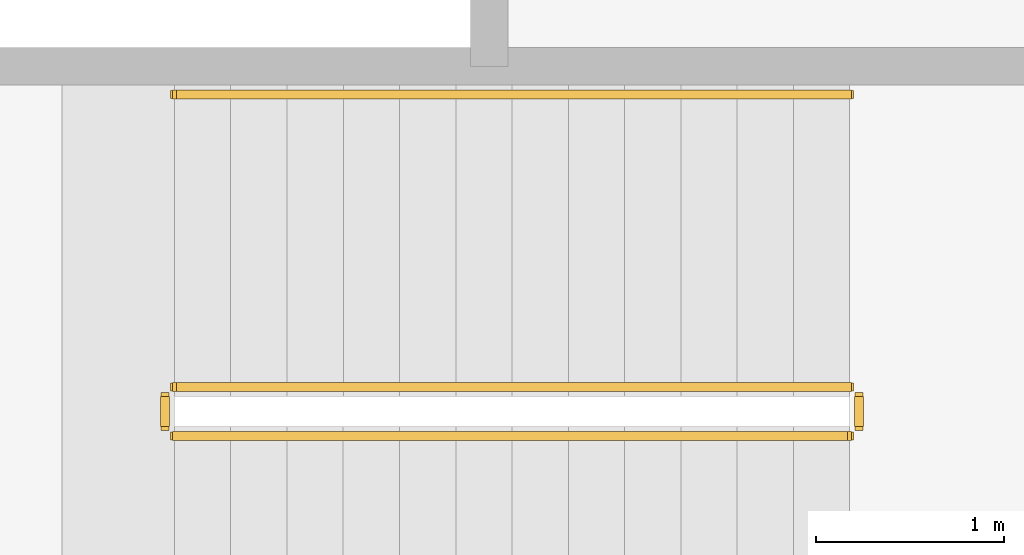
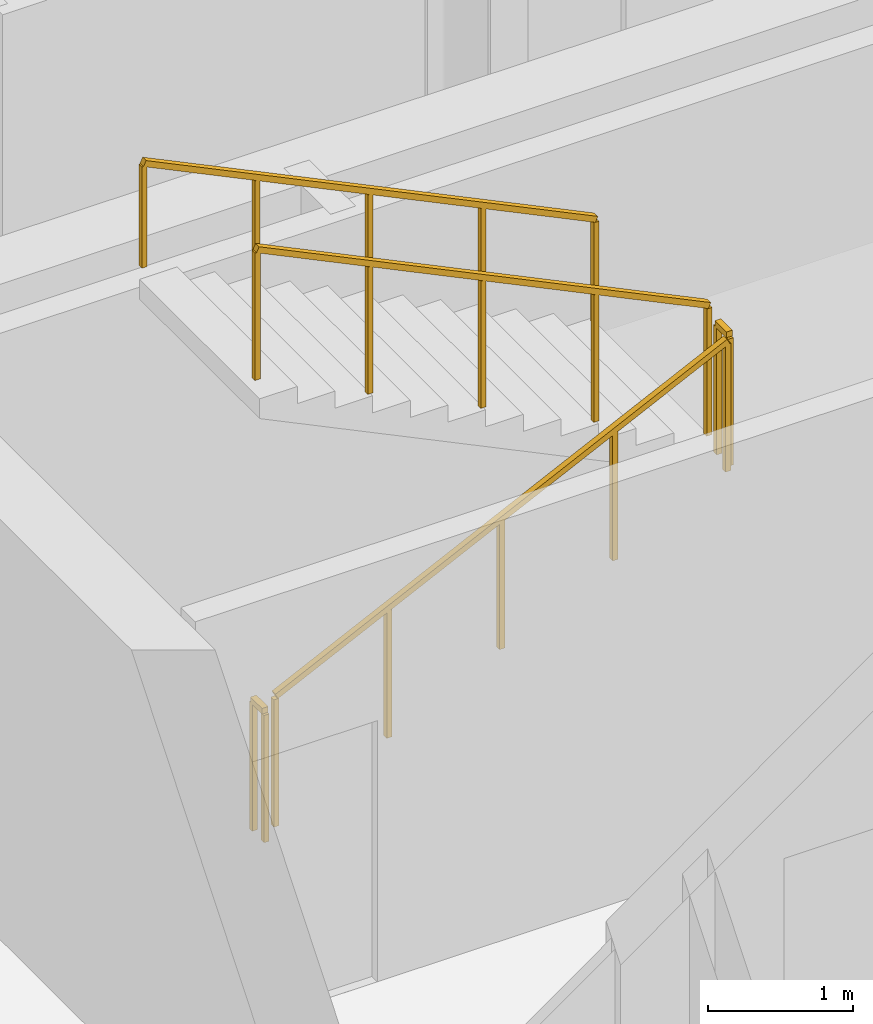
# One storey, part 25 of 26: 5 railings.
"""IFC4 building model written with IfcOpenShell, lengths in metres."""

from ifc_helpers import new_model, si_unit, direction, frame, origin, origin_2d, place, context, subcontext, project, spatial, rectangle, extrude, material, type_object, element, save


model = new_model("IFC4")

# Units and contexts
model_context = context("Model", 3, precision=1e-05, world=origin(), true_north=direction((0.0, 1.0)))
body_context = subcontext(model_context, "Body", "Model", "MODEL_VIEW")
ifc_project = project(units=[si_unit("LENGTHUNIT", "METRE"), si_unit("AREAUNIT", "SQUARE_METRE"), si_unit("VOLUMEUNIT", "CUBIC_METRE"), si_unit("PLANEANGLEUNIT", "RADIAN"), si_unit("MASSUNIT", "GRAM", prefix="KILO"), si_unit("THERMODYNAMICTEMPERATUREUNIT", "KELVIN"), si_unit("POWERUNIT", "WATT")], contexts=[model_context])

# Site, building, storey
site_placement = place(None, origin())
site = spatial("IfcSite", under=ifc_project, at=site_placement, CompositionType="ELEMENT")
building_placement = place(site_placement, origin())
building = spatial("IfcBuilding", under=site, at=building_placement, Name="Svarakhadi Broadcast Tower", CompositionType="ELEMENT")
storey_placement = place(building_placement, frame((0.0, 0.0, 180.449951171875)))
storey = spatial("IfcBuildingStorey", under=building, at=storey_placement, Name="L44", CompositionType="ELEMENT", Elevation=180.449951171875)

# Railings
ifc_material = material(Name="Anodised Bronze Aluminium AA 6063-T6", Category="aluminium")
railing_type_1 = type_object("IfcRailingType", Name="Guard_Stair_GR01", PredefinedType="GUARDRAIL", material=ifc_material)
railing_1_placement = place(storey_placement, frame((7.97998046875, 24.969970703125, 0.144287109375)))
element("IfcRailing", 1, at=railing_1_placement, inside=storey, type_object=railing_type_1, Name="L44 ST-01 stair guard 1", PredefinedType="GUARDRAIL", context=body_context, shape_type="SweptSolid", body=[
    extrude(rectangle(XDim=0.048095703125, YDim=0.048095703125, at=origin_2d()), frame((0.0, 0.0, 1.09619140625), z_axis=(0.901262522062, 0.0, 0.433273431364), x_axis=(0.0, 1.0, 0.0)), (0.0, 0.0, 1.0), 3.994384765625),
    extrude(rectangle(XDim=0.0419921875, YDim=0.0419921875, at=origin_2d()), origin(), (0.0, 0.0, 1.0), 1.072021484375),
    extrude(rectangle(XDim=0.0419921875, YDim=0.0419921875, at=origin_2d()), frame((0.89990234375, 0.0, 0.4326171875)), (0.0, 0.0, 1.0), 1.072021484375),
    extrude(rectangle(XDim=0.0419921875, YDim=0.0419921875, at=origin_2d()), frame((1.800048828125, 0.0, 0.865234375)), (0.0, 0.0, 1.0), 1.072021484375),
    extrude(rectangle(XDim=0.0419921875, YDim=0.0419921875, at=origin_2d()), frame((2.7001953125, 0.0, 1.298095703125)), (0.0, 0.0, 1.0), 1.072021484375),
    extrude(rectangle(XDim=0.0419921875, YDim=0.0419921875, at=origin_2d()), frame((3.60009765625, 0.0, 1.730712890625)), (0.0, 0.0, 1.0), 1.072021484375),
])
railing_2_placement = place(storey_placement, frame((11.6298828125, 25.02001953125, 1.875)))
element("IfcRailing", 2, at=railing_2_placement, inside=storey, type_object=railing_type_1, Name="L44 ST-01 stair guard 2", PredefinedType="GUARDRAIL", context=body_context, shape_type="SweptSolid", body=[
    extrude(rectangle(XDim=0.048095703125, YDim=0.048095703125, at=origin_2d()), frame((0.0, 0.0, 1.09619140625), z_axis=(0.0, 1.0, 0.0), x_axis=(-1.0, 0.0, 0.0)), (0.0, 0.0, 1.0), 0.159912109375),
    extrude(rectangle(XDim=0.0419921875, YDim=0.0419921875, at=origin_2d()), origin(), (0.0, 0.0, 1.0), 1.072021484375),
    extrude(rectangle(XDim=0.0419921875, YDim=0.0419921875, at=origin_2d()), frame((0.0, 0.159912109375, 0.0)), (0.0, 0.0, 1.0), 1.072021484375),
])
railing_3_placement = place(storey_placement, frame((11.580078125, 25.22998046875, 2.019287109375)))
element("IfcRailing", 3, at=railing_3_placement, inside=storey, type_object=railing_type_1, Name="L44 ST-01 stair guard 3", PredefinedType="GUARDRAIL", context=body_context, shape_type="SweptSolid", body=[
    extrude(rectangle(XDim=0.048095703125, YDim=0.048095703125, at=origin_2d()), frame((0.0, 0.0, 1.09619140625), z_axis=(-0.901262522062, 0.0, 0.433273431364), x_axis=(0.0, -1.0, 0.0)), (0.0, 0.0, 1.0), 3.994384765625),
    extrude(rectangle(XDim=0.0419921875, YDim=0.0419921875, at=origin_2d()), origin(), (0.0, 0.0, 1.0), 1.072021484375),
    extrude(rectangle(XDim=0.0419921875, YDim=0.0419921875, at=origin_2d()), frame((-0.89990234375, 0.0, 0.4326171875)), (0.0, 0.0, 1.0), 1.072021484375),
    extrude(rectangle(XDim=0.0419921875, YDim=0.0419921875, at=origin_2d()), frame((-1.800048828125, 0.0, 0.865234375)), (0.0, 0.0, 1.0), 1.072021484375),
    extrude(rectangle(XDim=0.0419921875, YDim=0.0419921875, at=origin_2d()), frame((-2.7001953125, 0.0, 1.298095703125)), (0.0, 0.0, 1.0), 1.072021484375),
    extrude(rectangle(XDim=0.0419921875, YDim=0.0419921875, at=origin_2d()), frame((-3.60009765625, 0.0, 1.730712890625)), (0.0, 0.0, 1.0), 1.072021484375),
])
railing_4_placement = place(storey_placement, frame((7.929931640625, 25.02001953125, 0.0)))
element("IfcRailing", 4, at=railing_4_placement, inside=storey, type_object=railing_type_1, Name="L44 ST-01 stair guard 4", PredefinedType="GUARDRAIL", context=body_context, shape_type="SweptSolid", body=[
    extrude(rectangle(XDim=0.048095703125, YDim=0.048095703125, at=origin_2d()), frame((0.0, 0.0, 1.09619140625), z_axis=(0.0, 1.0, 0.0), x_axis=(-1.0, 0.0, 0.0)), (0.0, 0.0, 1.0), 0.159912109375),
    extrude(rectangle(XDim=0.0419921875, YDim=0.0419921875, at=origin_2d()), origin(), (0.0, 0.0, 1.0), 1.072021484375),
    extrude(rectangle(XDim=0.0419921875, YDim=0.0419921875, at=origin_2d()), frame((0.0, 0.159912109375, 0.0)), (0.0, 0.0, 1.0), 1.072021484375),
])
railing_type_2 = type_object("IfcRailingType", Name="Handrail_Stair_HR01", PredefinedType="HANDRAIL", material=ifc_material)
railing_5_placement = place(storey_placement, frame((11.580078125, 26.7900390625, 2.019287109375)))
element("IfcRailing", 5, at=railing_5_placement, inside=storey, type_object=railing_type_2, Name="L44 ST-01 stair handrail 2", PredefinedType="HANDRAIL", context=body_context, shape_type="SweptSolid", body=[
    extrude(rectangle(XDim=0.048095703125, YDim=0.048095703125, at=origin_2d()), frame((0.0, 0.0, 0.8759765625), z_axis=(-0.901262522062, 0.0, 0.433273431364), x_axis=(0.0, -1.0, 0.0)), (0.0, 0.0, 1.0), 3.994384765625),
    extrude(rectangle(XDim=0.0419921875, YDim=0.0419921875, at=origin_2d()), origin(), (0.0, 0.0, 1.0), 0.851806640625),
    extrude(rectangle(XDim=0.0419921875, YDim=0.0419921875, at=origin_2d()), frame((-0.89990234375, 0.0, 0.4326171875)), (0.0, 0.0, 1.0), 0.851806640625),
    extrude(rectangle(XDim=0.0419921875, YDim=0.0419921875, at=origin_2d()), frame((-1.800048828125, 0.0, 0.865234375)), (0.0, 0.0, 1.0), 0.851806640625),
    extrude(rectangle(XDim=0.0419921875, YDim=0.0419921875, at=origin_2d()), frame((-2.7001953125, 0.0, 1.298095703125)), (0.0, 0.0, 1.0), 0.851806640625),
    extrude(rectangle(XDim=0.0419921875, YDim=0.0419921875, at=origin_2d()), frame((-3.60009765625, 0.0, 1.730712890625)), (0.0, 0.0, 1.0), 0.851806640625),
])

save(model, "model.ifc")
